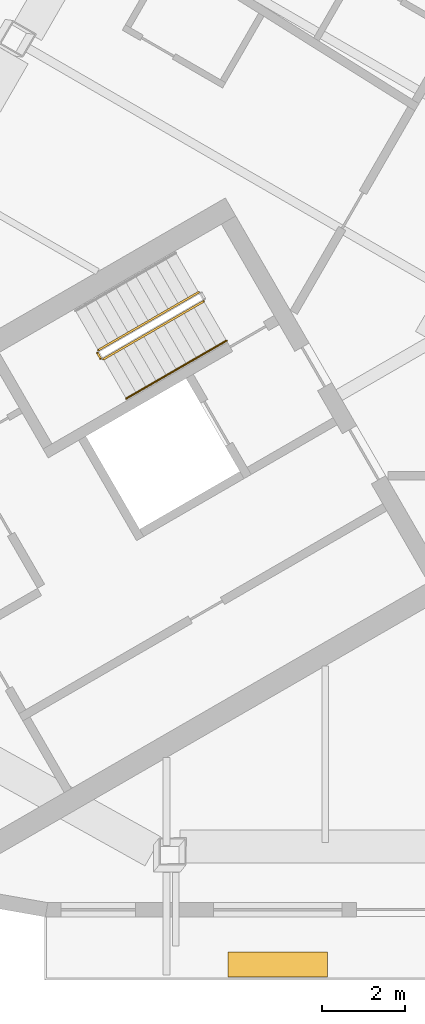
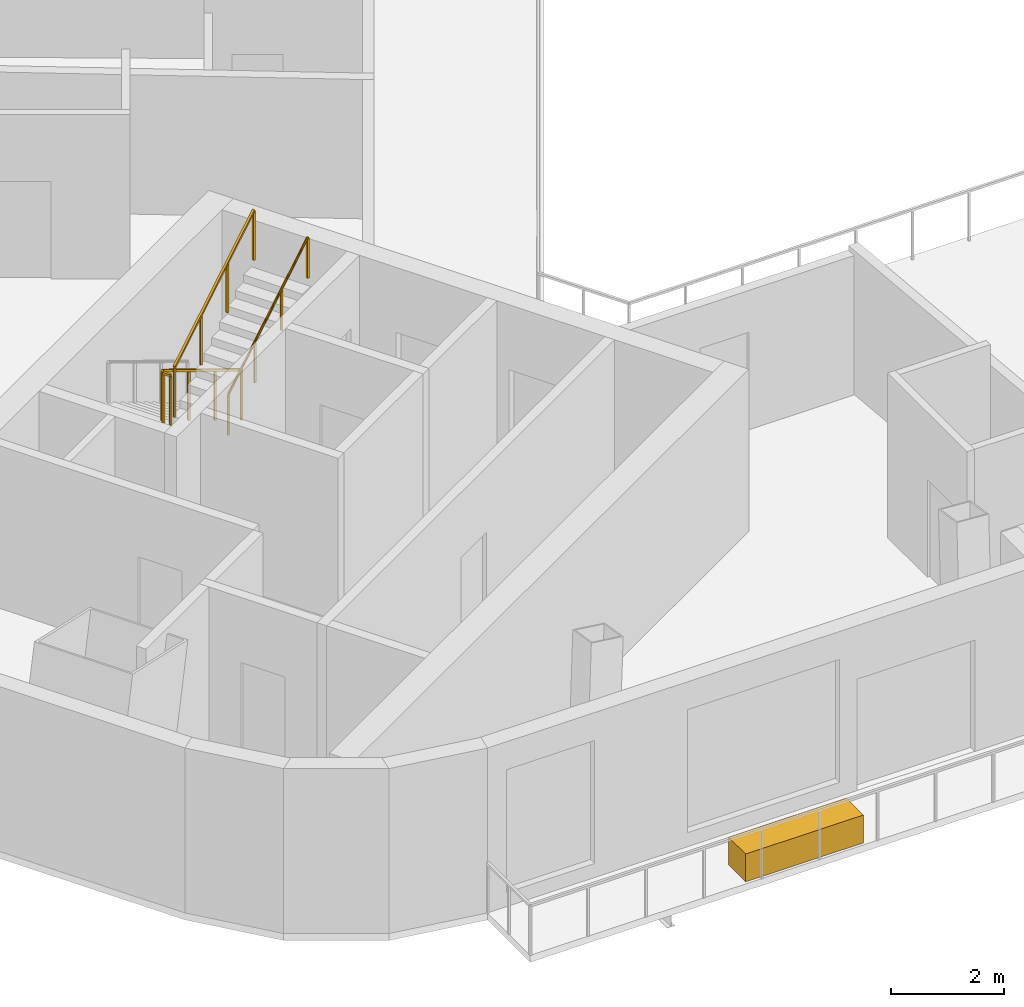
# One storey, part 9 of 14: 4 railings, 1 covering.
"""IFC4 building model written with IfcOpenShell, lengths in metres."""

from ifc_helpers import new_model, si_unit, direction, frame, origin, origin_2d, place, context, subcontext, project, spatial, rectangle, circle, extrude, material, type_object, element, save


model = new_model("IFC4")

# Units and contexts
model_context = context("Model", 3, precision=1e-05, world=origin(), true_north=direction((0.0, 1.0)))
body_context = subcontext(model_context, "Body", "Model", "MODEL_VIEW")
ifc_project = project(units=[si_unit("LENGTHUNIT", "METRE"), si_unit("AREAUNIT", "SQUARE_METRE"), si_unit("VOLUMEUNIT", "CUBIC_METRE"), si_unit("PLANEANGLEUNIT", "RADIAN"), si_unit("MASSUNIT", "GRAM", prefix="KILO")], contexts=[model_context])

# Site, building, storey
site_placement = place(None, origin())
site = spatial("IfcSite", under=ifc_project, at=site_placement, CompositionType="ELEMENT")
building_placement = place(site_placement, origin())
building = spatial("IfcBuilding", under=site, at=building_placement, Name="Apuvela Tower Hotel", CompositionType="ELEMENT")
storey_placement = place(building_placement, frame((0.0, 0.0, 265.199951171875)))
storey = spatial("IfcBuildingStorey", under=building, at=storey_placement, Name="L65", CompositionType="ELEMENT", Elevation=265.199951171875)

# Railings
ifc_material_1 = material(Name="Steel S275 balustrade", Category="steel")
railing_type_1 = type_object("IfcRailingType", Name="COR-GUARD-1100", PredefinedType="GUARDRAIL", material=ifc_material_1)
railing_1_placement = place(storey_placement, frame((-14.569091796875, -3.9658203125, 0.168212890625)))
element("IfcRailing", 1, at=railing_1_placement, inside=storey, type_object=railing_type_1, Name="L65 ST2 stair guard 1", PredefinedType="GUARDRAIL", context=body_context, shape_type="SweptSolid", body=[
    extrude(rectangle(XDim=0.048095703125, YDim=0.048095703125, at=origin_2d()), frame((0.0, 0.0, 1.076171875), z_axis=(-0.742390482028, -0.42860119049, 0.514934356695), x_axis=(0.49998411664, -0.866034573852, 0.0)), (0.0, 0.0, 1.0), 3.26611328125),
    extrude(rectangle(XDim=0.0419921875, YDim=0.0419921875, at=origin_2d()), origin(), (0.0, 0.0, 1.0), 1.052001953125),
    extrude(rectangle(XDim=0.0419921875, YDim=0.0419921875, at=origin_2d()), frame((-0.808349609375, -0.466552734375, 0.560546875)), (0.0, 0.0, 1.0), 1.052001953125),
    extrude(rectangle(XDim=0.0419921875, YDim=0.0419921875, at=origin_2d()), frame((-1.616455078125, -0.933349609375, 1.121337890625)), (0.0, 0.0, 1.0), 1.052001953125),
    extrude(rectangle(XDim=0.0419921875, YDim=0.0419921875, at=origin_2d()), frame((-2.4248046875, -1.39990234375, 1.681884765625)), (0.0, 0.0, 1.0), 1.052001953125),
])
railing_2_placement = place(storey_placement, frame((-17.01220703125, -5.43408203125, 1.85009765625)))
element("IfcRailing", 2, at=railing_2_placement, inside=storey, type_object=railing_type_1, Name="L65 ST2 stair guard 2", PredefinedType="GUARDRAIL", context=body_context, shape_type="SweptSolid", body=[
    extrude(rectangle(XDim=0.048095703125, YDim=0.048095703125, at=origin_2d()), frame((0.0, 0.0, 1.076171875), z_axis=(0.499816412211, -0.866131372301, 0.0), x_axis=(0.866131372301, 0.499816412211, 0.0)), (0.0, 0.0, 1.0), 0.14990234375),
    extrude(rectangle(XDim=0.0419921875, YDim=0.0419921875, at=origin_2d()), origin(), (0.0, 0.0, 1.0), 1.052001953125),
    extrude(rectangle(XDim=0.0419921875, YDim=0.0419921875, at=origin_2d()), frame((0.074951171875, -0.1298828125, 0.0)), (0.0, 0.0, 1.0), 1.052001953125),
])
railing_3_placement = place(storey_placement, frame((-16.868896484375, -5.582275390625, 2.018310546875)))
element("IfcRailing", 3, at=railing_3_placement, inside=storey, type_object=railing_type_1, Name="L65 ST2 stair guard 3", PredefinedType="GUARDRAIL", context=body_context, shape_type="SweptSolid", body=[
    extrude(rectangle(XDim=0.048095703125, YDim=0.048095703125, at=origin_2d()), frame((0.0, 0.0, 1.076171875), z_axis=(0.74241905619, 0.428617687091, 0.514879426), x_axis=(-0.49998411664, 0.866034573852, 0.0)), (0.0, 0.0, 1.0), 3.26611328125),
    extrude(rectangle(XDim=0.0419921875, YDim=0.0419921875, at=origin_2d()), origin(), (0.0, 0.0, 1.0), 1.052001953125),
    extrude(rectangle(XDim=0.0419921875, YDim=0.0419921875, at=origin_2d()), frame((0.808349609375, 0.466552734375, 0.560546875)), (0.0, 0.0, 1.0), 1.052001953125),
    extrude(rectangle(XDim=0.0419921875, YDim=0.0419921875, at=origin_2d()), frame((1.616455078125, 0.933349609375, 1.12109375)), (0.0, 0.0, 1.0), 1.052001953125),
    extrude(rectangle(XDim=0.0419921875, YDim=0.0419921875, at=origin_2d()), frame((2.4248046875, 1.39990234375, 1.681640625)), (0.0, 0.0, 1.0), 1.052001953125),
])
ifc_material_2 = material(Name="Stainless steel 316 handrail", Category="steel")
railing_type_2 = type_object("IfcRailingType", Name="COR-HANDRAIL-900", PredefinedType="HANDRAIL", material=ifc_material_2)
railing_4_placement = place(storey_placement, frame((-16.31884765625, -6.534912109375, 2.018310546875)))
element("IfcRailing", 4, at=railing_4_placement, inside=storey, type_object=railing_type_2, Name="L65 ST2 stair handrail 2", PredefinedType="HANDRAIL", context=body_context, shape_type="SweptSolid", body=[
    extrude(circle(Radius=0.02392578125, at=origin_2d()), frame((0.0, 0.0, 0.8759765625), z_axis=(0.74241905619, 0.428617687091, 0.514879426), x_axis=(-0.49998411664, 0.866034573852, 0.0)), (0.0, 0.0, 1.0), 3.26611328125),
    extrude(rectangle(XDim=0.0419921875, YDim=0.0419921875, at=origin_2d()), origin(), (0.0, 0.0, 1.0), 0.851806640625),
    extrude(rectangle(XDim=0.0419921875, YDim=0.0419921875, at=origin_2d()), frame((0.808349609375, 0.466552734375, 0.560546875)), (0.0, 0.0, 1.0), 0.851806640625),
    extrude(rectangle(XDim=0.0419921875, YDim=0.0419921875, at=origin_2d()), frame((1.616455078125, 0.933349609375, 1.12109375)), (0.0, 0.0, 1.0), 0.851806640625),
    extrude(rectangle(XDim=0.0419921875, YDim=0.0419921875, at=origin_2d()), frame((2.4248046875, 1.39990234375, 1.681640625)), (0.0, 0.0, 1.0), 0.851806640625),
])

# Covering
ifc_material_3 = material(Name="Planting substrate and soil, planted")
covering_type = type_object("IfcCoveringType", Name="ENV-PLANTER-2400x600", PredefinedType="USERDEFINED", material=ifc_material_3)
covering_placement = place(storey_placement, frame((-12.65576171875, -20.212890625, 0.0), z_axis=(0.0, 0.0, 1.0), x_axis=(1.0, 0.0, 0.0)))
element("IfcCovering", 5, at=covering_placement, inside=storey, type_object=covering_type, Name="Planter S1", ObjectType="PLANTER", PredefinedType="USERDEFINED", context=body_context, shape_type="SweptSolid", body=[
    extrude(rectangle(XDim=2.39990234375, YDim=0.60009765625, at=origin_2d()), origin(), (0.0, 0.0, 1.0), 0.60009765625),
])

save(model, "model.ifc")
